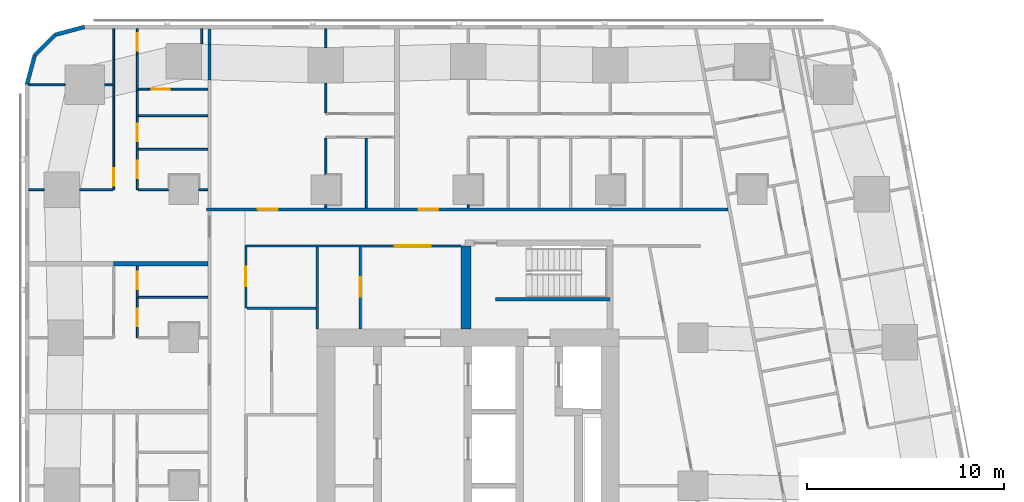
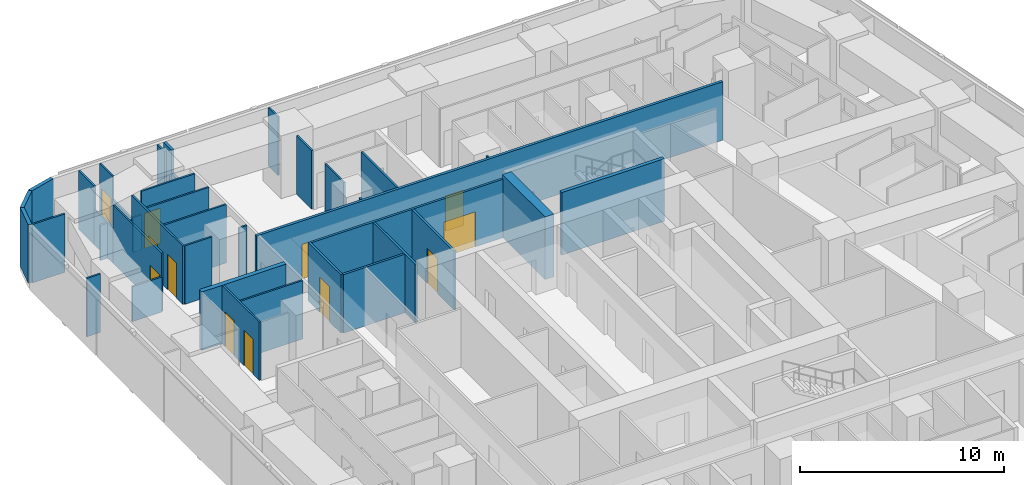
# One storey, part 9 of 15: 39 walls, 12 doors, 12 openings.
"""IFC4 building model written with IfcOpenShell, lengths in metres."""

from ifc_helpers import new_model, si_unit, direction, frame, frame_2d, origin, place, context, subcontext, project, spatial, rectangle, extrude, material, layer, layer_set, type_object, element, fill, save


model = new_model("IFC4")

# Units and contexts
model_context = context("Model", 3, precision=1e-05, world=origin(), true_north=direction((0.0, 1.0)))
body_context = subcontext(model_context, "Body", "Model", "MODEL_VIEW")
ifc_project = project(units=[si_unit("LENGTHUNIT", "METRE"), si_unit("AREAUNIT", "SQUARE_METRE"), si_unit("VOLUMEUNIT", "CUBIC_METRE"), si_unit("PLANEANGLEUNIT", "RADIAN"), si_unit("MASSUNIT", "GRAM", prefix="KILO")], contexts=[model_context])

# Site, building, storey
site_placement = place(None, origin())
site = spatial("IfcSite", under=ifc_project, at=site_placement, CompositionType="ELEMENT")
building_placement = place(site_placement, origin())
building = spatial("IfcBuilding", under=site, at=building_placement, Name="Sheger Commons Tower", CompositionType="ELEMENT")
storey_placement = place(building_placement, frame((0.0, 0.0, 139.550048828125)))
storey = spatial("IfcBuildingStorey", under=building, at=storey_placement, Name="L35", CompositionType="ELEMENT", Elevation=139.550048828125)

# Walls
ifc_material_1 = material(Name="Hollow concrete block masonry, skimmed both sides", Category="masonry")
ifc_layer_1 = layer(ifc_material_1, 0.14990234375)
ifc_layer_set_1 = layer_set([ifc_layer_1], Name="CORRIDOR WALL 150")
wall_type_1 = type_object("IfcWallType", Name="CORRIDOR WALL 150", PredefinedType="SOLIDWALL", material=ifc_layer_set_1)
wall_1_placement = place(storey_placement, frame((8.5, 43.06103515625, 0.0), z_axis=(0.0, 0.0, 1.0), x_axis=(0.0, 1.0, 0.0)))
element("IfcWall", 1, at=wall_1_placement, inside=storey, type_object=wall_type_1, Name="Corridor wall L35", PredefinedType="SOLIDWALL", context=body_context, shape_type="SweptSolid", body=[
    extrude(rectangle(XDim=1.804931640625, YDim=0.14990234375, at=frame_2d((0.90234375, 0.0))), origin(), (0.0, 0.0, 1.0), 2.099853515625),
])
wall_2_placement = place(storey_placement, frame((8.5, 44.865966796875, 0.0), z_axis=(0.0, 0.0, 1.0), x_axis=(0.0, 1.0, 0.0)))
element("IfcWall", 2, at=wall_2_placement, inside=storey, type_object=wall_type_1, Name="Corridor wall L35", PredefinedType="SOLIDWALL", context=body_context, shape_type="SweptSolid", body=[
    extrude(rectangle(XDim=0.783935546875, YDim=0.14990234375, at=frame_2d((0.39208984375, 0.0))), origin(), (0.0, 0.0, 1.0), 3.5),
])

# Wall, openings, doors
wall_3_placement = place(storey_placement, frame((8.35009765625, 36.5, 0.0), z_axis=(0.0, 0.0, 1.0), x_axis=(1.0, 0.0, 0.0)))
wall_3 = element("IfcWall", 3, at=wall_3_placement, inside=storey, type_object=wall_type_1, Name="Corridor wall L35", PredefinedType="SOLIDWALL", context=body_context, shape_type="SweptSolid", body=[
    extrude(rectangle(XDim=26.414794921875, YDim=0.14990234375, at=frame_2d((13.20751953125, 0.0))), origin(), (0.0, 0.0, 1.0), 3.5),
])
opening_1_placement = place(wall_3_placement, frame((2.60009765625, 0.0, 0.0)))
opening_1 = element("IfcOpeningElement", 4, at=opening_1_placement, cuts=wall_3, Name="Opening D1", PredefinedType="OPENING", context=body_context, shape_type="SweptSolid", body=[
    extrude(rectangle(XDim=1.0, YDim=2.10009765625, at=frame_2d((0.5, 1.050048828125))), frame((0.0, 0.0849609375, 0.0), z_axis=(0.0, -1.0, 0.0), x_axis=(1.0, 0.0, 0.0)), (0.0, 0.0, 1.0), 0.169921875),
])
opening_2_placement = place(wall_3_placement, frame((10.75, 0.0, 0.0)))
opening_2 = element("IfcOpeningElement", 5, at=opening_2_placement, cuts=wall_3, Name="Opening D1", PredefinedType="OPENING", context=body_context, shape_type="SweptSolid", body=[
    extrude(rectangle(XDim=1.0, YDim=2.10009765625, at=frame_2d((0.5, 1.050048828125))), frame((0.0, 0.0849609375, 0.0), z_axis=(0.0, -1.0, 0.0), x_axis=(1.0, 0.0, 0.0)), (0.0, 0.0, 1.0), 0.169921875),
])
ifc_material_2 = material(Name="Steel door set, fire rated", Category="steel")
door_type_1 = type_object("IfcDoorType", Name="FLAT ENTRANCE DOOR 1000x2100", OperationType="NOTDEFINED", PredefinedType="DOOR", material=ifc_material_2)
door_1_placement = place(opening_1_placement, origin())
door_1 = element("IfcDoor", 6, at=door_1_placement, inside=storey, type_object=door_type_1, Name="Flat entrance door", OperationType="SINGLE_SWING_LEFT", OverallHeight=2.10009765625, OverallWidth=1.0, PredefinedType="DOOR", context=body_context, shape_type="SweptSolid", body=[
    extrude(rectangle(XDim=1.0, YDim=2.10009765625, at=frame_2d((0.5, 1.050048828125))), frame((0.0, 0.02490234375, 0.0), z_axis=(0.0, -1.0, 0.0), x_axis=(1.0, 0.0, 0.0)), (0.0, 0.0, 1.0), 0.050048828125),
])
fill(opening_1, door_1)
door_2_placement = place(opening_2_placement, origin())
door_2 = element("IfcDoor", 7, at=door_2_placement, inside=storey, type_object=door_type_1, Name="Flat entrance door", OperationType="SINGLE_SWING_LEFT", OverallHeight=2.10009765625, OverallWidth=1.0, PredefinedType="DOOR", context=body_context, shape_type="SweptSolid", body=[
    extrude(rectangle(XDim=1.0, YDim=2.10009765625, at=frame_2d((0.5, 1.050048828125))), frame((0.0, 0.02490234375, 0.0), z_axis=(0.0, -1.0, 0.0), x_axis=(1.0, 0.0, 0.0)), (0.0, 0.0, 1.0), 0.050048828125),
])
fill(opening_2, door_2)

# Walls
ifc_material_3 = material(Name="Dense concrete block masonry, plastered both sides (separating wall between flats)", Category="masonry")
ifc_layer_2 = layer(ifc_material_3, 0.25)
ifc_layer_set_2 = layer_set([ifc_layer_2], Name="DEMISING WALL 250")
wall_type_2 = type_object("IfcWallType", Name="DEMISING WALL 250", PredefinedType="SOLIDWALL", material=ifc_layer_set_2)
wall_4_placement = place(storey_placement, frame((3.64990234375, 33.75, 0.0), z_axis=(0.0, 0.0, 1.0), x_axis=(1.0, 0.0, 0.0)))
element("IfcWall", 8, at=wall_4_placement, inside=storey, type_object=wall_type_2, Name="Demising wall L35", PredefinedType="SOLIDWALL", context=body_context, shape_type="SweptSolid", body=[
    extrude(rectangle(XDim=4.775146484375, YDim=0.25, at=frame_2d((2.3876953125, 0.0))), origin(), (0.0, 0.0, 1.0), 3.5),
])
ifc_material_4 = material(Name="Rendered concrete block masonry, dark grey", Category="masonry")
ifc_layer_3 = layer(ifc_material_4, 0.199951171875)
ifc_layer_set_3 = layer_set([ifc_layer_3], Name="FACADE WALL 200")
wall_type_3 = type_object("IfcWallType", Name="FACADE WALL 200", PredefinedType="SOLIDWALL", material=ifc_layer_set_3)
wall_5_placement = place(storey_placement, frame((2.1630859375, 45.75, 0.0), z_axis=(0.0, 0.0, 1.0), x_axis=(-0.965832000415, -0.259168954497, 0.0)))
element("IfcWall", 9, at=wall_5_placement, inside=storey, type_object=wall_type_3, Name="Facade wall L35", PredefinedType="SOLIDWALL", context=body_context, shape_type="SweptSolid", body=[
    extrude(rectangle(XDim=1.512939453125, YDim=0.199951171875, at=frame_2d((0.75634765625, 0.0))), origin(), (0.0, 0.0, 1.0), 3.5),
])
wall_6_placement = place(storey_placement, frame((0.701904296875, 45.35791015625, 0.0), z_axis=(0.0, 0.0, 1.0), x_axis=(-0.707106781187, -0.707106781187, 0.0)))
element("IfcWall", 10, at=wall_6_placement, inside=storey, type_object=wall_type_3, Name="Facade wall L35", PredefinedType="SOLIDWALL", context=body_context, shape_type="SweptSolid", body=[
    extrude(rectangle(XDim=1.498779296875, YDim=0.199951171875, at=frame_2d((0.74951171875, 0.0))), origin(), (0.0, 0.0, 1.0), 3.5),
])
wall_7_placement = place(storey_placement, frame((-0.35791015625, 44.298095703125, 0.0), z_axis=(0.0, 0.0, 1.0), x_axis=(-0.259168954497, -0.965832000415, 0.0)))
element("IfcWall", 11, at=wall_7_placement, inside=storey, type_object=wall_type_3, Name="Facade wall L35", PredefinedType="SOLIDWALL", context=body_context, shape_type="SweptSolid", body=[
    extrude(rectangle(XDim=1.512939453125, YDim=0.199951171875, at=frame_2d((0.75634765625, 0.0))), origin(), (0.0, 0.0, 1.0), 3.5),
])
ifc_material_5 = material(Name="Gypsum board on steel studs", Category="steel")
ifc_layer_4 = layer(ifc_material_5, 0.10009765625)
ifc_layer_set_4 = layer_set([ifc_layer_4], Name="PARTITION 100")
wall_type_4 = type_object("IfcWallType", Name="PARTITION 100", PredefinedType="PARTITIONING", material=ifc_layer_set_4)
wall_8_placement = place(storey_placement, frame((8.10009765625, 45.64990234375, 0.0), z_axis=(0.0, 0.0, 1.0), x_axis=(0.0, -1.0, 0.0)))
element("IfcWall", 12, at=wall_8_placement, inside=storey, type_object=wall_type_4, Name="Partition L35", PredefinedType="PARTITIONING", context=body_context, shape_type="SweptSolid", body=[
    extrude(rectangle(XDim=0.7490234375, YDim=0.10009765625, at=frame_2d((0.37451171875, 0.0))), origin(), (0.0, 0.0, 1.0), 3.5),
])

# Wall, openings, doors
wall_9_placement = place(storey_placement, frame((4.85009765625, 30.0, 0.0), z_axis=(0.0, 0.0, 1.0), x_axis=(0.0, 1.0, 0.0)))
wall_9 = element("IfcWall", 13, at=wall_9_placement, inside=storey, type_object=wall_type_4, Name="Partition L35", PredefinedType="PARTITIONING", context=body_context, shape_type="SweptSolid", body=[
    extrude(rectangle(XDim=3.625, YDim=0.10009765625, at=frame_2d((1.8125, 0.0))), origin(), (0.0, 0.0, 1.0), 3.5),
])
opening_3_placement = place(wall_9_placement, frame((0.574951171875, 0.0, 0.0)))
opening_3 = element("IfcOpeningElement", 14, at=opening_3_placement, cuts=wall_9, Name="Opening D2", PredefinedType="OPENING", context=body_context, shape_type="SweptSolid", body=[
    extrude(rectangle(XDim=0.89990234375, YDim=2.10009765625, at=frame_2d((0.449951171875, 1.050048828125))), frame((0.0, 0.06005859375, 0.0), z_axis=(0.0, -1.0, 0.0), x_axis=(1.0, 0.0, 0.0)), (0.0, 0.0, 1.0), 0.1201171875),
])
opening_4_placement = place(wall_9_placement, frame((2.449951171875, 0.0, 0.0)))
opening_4 = element("IfcOpeningElement", 15, at=opening_4_placement, cuts=wall_9, Name="Opening D2", PredefinedType="OPENING", context=body_context, shape_type="SweptSolid", body=[
    extrude(rectangle(XDim=0.89990234375, YDim=2.10009765625, at=frame_2d((0.449951171875, 1.050048828125))), frame((0.0, 0.06005859375, 0.0), z_axis=(0.0, -1.0, 0.0), x_axis=(1.0, 0.0, 0.0)), (0.0, 0.0, 1.0), 0.1201171875),
])
ifc_material_6 = material(Name="Timber door set", Category="wood")
door_type_2 = type_object("IfcDoorType", Name="INTERNAL DOOR 900x2100", OperationType="NOTDEFINED", PredefinedType="DOOR", material=ifc_material_6)
door_3_placement = place(opening_3_placement, origin())
door_3 = element("IfcDoor", 16, at=door_3_placement, inside=storey, type_object=door_type_2, Name="Bathroom door", OperationType="SINGLE_SWING_RIGHT", OverallHeight=2.10009765625, OverallWidth=0.89990234375, PredefinedType="DOOR", context=body_context, shape_type="SweptSolid", body=[
    extrude(rectangle(XDim=0.89990234375, YDim=2.10009765625, at=frame_2d((0.449951171875, 1.050048828125))), frame((0.0, 0.02490234375, 0.0), z_axis=(0.0, -1.0, 0.0), x_axis=(1.0, 0.0, 0.0)), (0.0, 0.0, 1.0), 0.050048828125),
])
fill(opening_3, door_3)
door_4_placement = place(opening_4_placement, origin())
door_4 = element("IfcDoor", 17, at=door_4_placement, inside=storey, type_object=door_type_2, Name="Store door", OperationType="SINGLE_SWING_LEFT", OverallHeight=2.10009765625, OverallWidth=0.89990234375, PredefinedType="DOOR", context=body_context, shape_type="SweptSolid", body=[
    extrude(rectangle(XDim=0.89990234375, YDim=2.10009765625, at=frame_2d((0.449951171875, 1.050048828125))), frame((0.0, 0.02490234375, 0.0), z_axis=(0.0, -1.0, 0.0), x_axis=(1.0, 0.0, 0.0)), (0.0, 0.0, 1.0), 0.050048828125),
])
fill(opening_4, door_4)

# Wall
wall_10_placement = place(storey_placement, frame((4.89990234375, 32.050048828125, 0.0), z_axis=(0.0, 0.0, 1.0), x_axis=(1.0, 0.0, 0.0)))
element("IfcWall", 18, at=wall_10_placement, inside=storey, type_object=wall_type_4, Name="Partition L35", PredefinedType="PARTITIONING", context=body_context, shape_type="SweptSolid", body=[
    extrude(rectangle(XDim=3.525146484375, YDim=0.10009765625, at=frame_2d((1.7626953125, 0.0))), origin(), (0.0, 0.0, 1.0), 3.5),
])

# Wall, opening, door
wall_11_placement = place(storey_placement, frame((3.64990234375, 37.5, 0.0), z_axis=(0.0, 0.0, 1.0), x_axis=(0.0, 1.0, 0.0)))
wall_11 = element("IfcWall", 19, at=wall_11_placement, inside=storey, type_object=wall_type_4, Name="Partition L35", PredefinedType="PARTITIONING", context=body_context, shape_type="SweptSolid", body=[
    extrude(rectangle(XDim=4.72412109375, YDim=0.10009765625, at=frame_2d((2.362060546875, 0.0))), origin(), (0.0, 0.0, 1.0), 3.5),
])
opening_5_placement = place(wall_11_placement, frame((0.199951171875, 0.0, 0.0)))
opening_5 = element("IfcOpeningElement", 20, at=opening_5_placement, cuts=wall_11, Name="Opening D2", PredefinedType="OPENING", context=body_context, shape_type="SweptSolid", body=[
    extrude(rectangle(XDim=0.89990234375, YDim=2.10009765625, at=frame_2d((0.449951171875, 1.050048828125))), frame((0.0, 0.06005859375, 0.0), z_axis=(0.0, -1.0, 0.0), x_axis=(1.0, 0.0, 0.0)), (0.0, 0.0, 1.0), 0.1201171875),
])
door_5_placement = place(opening_5_placement, origin())
door_5 = element("IfcDoor", 21, at=door_5_placement, inside=storey, type_object=door_type_2, Name="Main bedroom door", OperationType="SINGLE_SWING_LEFT", OverallHeight=2.10009765625, OverallWidth=0.89990234375, PredefinedType="DOOR", context=body_context, shape_type="SweptSolid", body=[
    extrude(rectangle(XDim=0.89990234375, YDim=2.10009765625, at=frame_2d((0.449951171875, 1.050048828125))), frame((0.0, 0.02490234375, 0.0), z_axis=(0.0, -1.0, 0.0), x_axis=(1.0, 0.0, 0.0)), (0.0, 0.0, 1.0), 0.050048828125),
])
fill(opening_5, door_5)

# Walls
wall_12_placement = place(storey_placement, frame((3.64990234375, 42.22412109375, 0.0), z_axis=(0.0, 0.0, 1.0), x_axis=(0.0, 1.0, 0.0)))
element("IfcWall", 22, at=wall_12_placement, inside=storey, type_object=wall_type_4, Name="Partition L35", PredefinedType="PARTITIONING", context=body_context, shape_type="SweptSolid", body=[
    extrude(rectangle(XDim=1.872802734375, YDim=0.10009765625, at=frame_2d((0.9365234375, 0.0))), origin(), (0.0, 0.0, 1.0), 2.099853515625),
])
wall_13_placement = place(storey_placement, frame((3.64990234375, 44.096923828125, 0.0), z_axis=(0.0, 0.0, 1.0), x_axis=(0.0, 1.0, 0.0)))
element("IfcWall", 23, at=wall_13_placement, inside=storey, type_object=wall_type_4, Name="Partition L35", PredefinedType="PARTITIONING", context=body_context, shape_type="SweptSolid", body=[
    extrude(rectangle(XDim=1.552978515625, YDim=0.10009765625, at=frame_2d((0.7763671875, 0.0))), origin(), (0.0, 0.0, 1.0), 3.5),
])

# Wall, openings, doors
wall_14_placement = place(storey_placement, frame((4.85009765625, 37.5, 0.0), z_axis=(0.0, 0.0, 1.0), x_axis=(0.0, 1.0, 0.0)))
wall_14 = element("IfcWall", 24, at=wall_14_placement, inside=storey, type_object=wall_type_4, Name="Partition L35", PredefinedType="PARTITIONING", context=body_context, shape_type="SweptSolid", body=[
    extrude(rectangle(XDim=5.007080078125, YDim=0.10009765625, at=frame_2d((2.50341796875, 0.0))), origin(), (0.0, 0.0, 1.0), 3.5),
])
opening_6_placement = place(wall_14_placement, frame((0.574951171875, 0.0, 0.0)))
opening_6 = element("IfcOpeningElement", 25, at=opening_6_placement, cuts=wall_14, Name="Opening D2", PredefinedType="OPENING", context=body_context, shape_type="SweptSolid", body=[
    extrude(rectangle(XDim=0.89990234375, YDim=2.10009765625, at=frame_2d((0.449951171875, 1.050048828125))), frame((0.0, 0.06005859375, 0.0), z_axis=(0.0, -1.0, 0.0), x_axis=(1.0, 0.0, 0.0)), (0.0, 0.0, 1.0), 0.1201171875),
])
opening_7_placement = place(wall_14_placement, frame((2.449951171875, 0.0, 0.0)))
opening_7 = element("IfcOpeningElement", 26, at=opening_7_placement, cuts=wall_14, Name="Opening D2", PredefinedType="OPENING", context=body_context, shape_type="SweptSolid", body=[
    extrude(rectangle(XDim=0.89990234375, YDim=2.10009765625, at=frame_2d((0.449951171875, 1.050048828125))), frame((0.0, 0.06005859375, 0.0), z_axis=(0.0, -1.0, 0.0), x_axis=(1.0, 0.0, 0.0)), (0.0, 0.0, 1.0), 0.1201171875),
])
door_6_placement = place(opening_6_placement, origin())
door_6 = element("IfcDoor", 27, at=door_6_placement, inside=storey, type_object=door_type_2, Name="Bathroom door", OperationType="SINGLE_SWING_RIGHT", OverallHeight=2.10009765625, OverallWidth=0.89990234375, PredefinedType="DOOR", context=body_context, shape_type="SweptSolid", body=[
    extrude(rectangle(XDim=0.89990234375, YDim=2.10009765625, at=frame_2d((0.449951171875, 1.050048828125))), frame((0.0, 0.02490234375, 0.0), z_axis=(0.0, -1.0, 0.0), x_axis=(1.0, 0.0, 0.0)), (0.0, 0.0, 1.0), 0.050048828125),
])
fill(opening_6, door_6)
door_7_placement = place(opening_7_placement, origin())
door_7 = element("IfcDoor", 28, at=door_7_placement, inside=storey, type_object=door_type_2, Name="Store door", OperationType="SINGLE_SWING_LEFT", OverallHeight=2.10009765625, OverallWidth=0.89990234375, PredefinedType="DOOR", context=body_context, shape_type="SweptSolid", body=[
    extrude(rectangle(XDim=0.89990234375, YDim=2.10009765625, at=frame_2d((0.449951171875, 1.050048828125))), frame((0.0, 0.02490234375, 0.0), z_axis=(0.0, -1.0, 0.0), x_axis=(1.0, 0.0, 0.0)), (0.0, 0.0, 1.0), 0.050048828125),
])
fill(opening_7, door_7)

# Wall
wall_15_placement = place(storey_placement, frame((4.85009765625, 42.507080078125, 0.0), z_axis=(0.0, 0.0, 1.0), x_axis=(0.0, 1.0, 0.0)))
element("IfcWall", 29, at=wall_15_placement, inside=storey, type_object=wall_type_4, Name="Partition L35", PredefinedType="PARTITIONING", context=body_context, shape_type="SweptSolid", body=[
    extrude(rectangle(XDim=1.8740234375, YDim=0.10009765625, at=frame_2d((0.93701171875, 0.0))), origin(), (0.0, 0.0, 1.0), 2.099853515625),
])

# Wall, opening, door
wall_16_placement = place(storey_placement, frame((4.85009765625, 44.381103515625, 0.0), z_axis=(0.0, 0.0, 1.0), x_axis=(0.0, 1.0, 0.0)))
wall_16 = element("IfcWall", 30, at=wall_16_placement, inside=storey, type_object=wall_type_4, Name="Partition L35", PredefinedType="PARTITIONING", context=body_context, shape_type="SweptSolid", body=[
    extrude(rectangle(XDim=1.268798828125, YDim=0.10009765625, at=frame_2d((0.63427734375, 0.0))), origin(), (0.0, 0.0, 1.0), 3.5),
])
opening_8_placement = place(wall_16_placement, frame((0.14990234375, 0.0, 0.0)))
opening_8 = element("IfcOpeningElement", 31, at=opening_8_placement, cuts=wall_16, Name="Opening D2", PredefinedType="OPENING", context=body_context, shape_type="SweptSolid", body=[
    extrude(rectangle(XDim=0.89990234375, YDim=2.10009765625, at=frame_2d((0.449951171875, 1.050048828125))), frame((0.0, 0.06005859375, 0.0), z_axis=(0.0, -1.0, 0.0), x_axis=(1.0, 0.0, 0.0)), (0.0, 0.0, 1.0), 0.1201171875),
])
door_8_placement = place(opening_8_placement, origin())
door_8 = element("IfcDoor", 32, at=door_8_placement, inside=storey, type_object=door_type_2, Name="Store and laundry door", OperationType="SINGLE_SWING_RIGHT", OverallHeight=2.10009765625, OverallWidth=0.89990234375, PredefinedType="DOOR", context=body_context, shape_type="SweptSolid", body=[
    extrude(rectangle(XDim=0.89990234375, YDim=2.10009765625, at=frame_2d((0.449951171875, 1.050048828125))), frame((0.0, 0.02490234375, 0.0), z_axis=(0.0, -1.0, 0.0), x_axis=(1.0, 0.0, 0.0)), (0.0, 0.0, 1.0), 0.050048828125),
])
fill(opening_8, door_8)

# Walls
wall_17_placement = place(storey_placement, frame((-0.64990234375, 37.5, 0.0), z_axis=(0.0, 0.0, 1.0), x_axis=(1.0, 0.0, 0.0)))
element("IfcWall", 33, at=wall_17_placement, inside=storey, type_object=wall_type_4, Name="Partition L35", PredefinedType="PARTITIONING", context=body_context, shape_type="SweptSolid", body=[
    extrude(rectangle(XDim=0.77392578125, YDim=0.10009765625, at=frame_2d((0.386962890625, 0.0))), origin(), (0.0, 0.0, 1.0), 3.5),
])
wall_18_placement = place(storey_placement, frame((1.926025390625, 37.5, 0.0), z_axis=(0.0, 0.0, 1.0), x_axis=(1.0, 0.0, 0.0)))
element("IfcWall", 34, at=wall_18_placement, inside=storey, type_object=wall_type_4, Name="Partition L35", PredefinedType="PARTITIONING", context=body_context, shape_type="SweptSolid", body=[
    extrude(rectangle(XDim=1.674072265625, YDim=0.10009765625, at=frame_2d((0.8369140625, 0.0))), origin(), (0.0, 0.0, 1.0), 2.099853515625),
])
wall_19_placement = place(storey_placement, frame((-0.64990234375, 42.81396484375, 0.0), z_axis=(0.0, 0.0, 1.0), x_axis=(1.0, 0.0, 0.0)))
element("IfcWall", 35, at=wall_19_placement, inside=storey, type_object=wall_type_4, Name="Partition L35", PredefinedType="PARTITIONING", context=body_context, shape_type="SweptSolid", body=[
    extrude(rectangle(XDim=1.8349609375, YDim=0.10009765625, at=frame_2d((0.91748046875, 0.0))), origin(), (0.0, 0.0, 1.0), 3.5),
])
wall_20_placement = place(storey_placement, frame((3.18701171875, 42.81396484375, 0.0), z_axis=(0.0, 0.0, 1.0), x_axis=(1.0, 0.0, 0.0)))
element("IfcWall", 36, at=wall_20_placement, inside=storey, type_object=wall_type_4, Name="Partition L35", PredefinedType="PARTITIONING", context=body_context, shape_type="SweptSolid", body=[
    extrude(rectangle(XDim=0.4130859375, YDim=0.10009765625, at=frame_2d((0.20654296875, 0.0))), origin(), (0.0, 0.0, 1.0), 2.099853515625),
])
wall_21_placement = place(storey_placement, frame((4.89990234375, 37.5, 0.0), z_axis=(0.0, 0.0, 1.0), x_axis=(1.0, 0.0, 0.0)))
element("IfcWall", 37, at=wall_21_placement, inside=storey, type_object=wall_type_4, Name="Partition L35", PredefinedType="PARTITIONING", context=body_context, shape_type="SweptSolid", body=[
    extrude(rectangle(XDim=1.549072265625, YDim=0.10009765625, at=frame_2d((0.7744140625, 0.0))), origin(), (0.0, 0.0, 1.0), 3.5),
])
wall_22_placement = place(storey_placement, frame((7.950927734375, 37.5, 0.0), z_axis=(0.0, 0.0, 1.0), x_axis=(1.0, 0.0, 0.0)))
element("IfcWall", 38, at=wall_22_placement, inside=storey, type_object=wall_type_4, Name="Partition L35", PredefinedType="PARTITIONING", context=body_context, shape_type="SweptSolid", body=[
    extrude(rectangle(XDim=0.47412109375, YDim=0.10009765625, at=frame_2d((0.237060546875, 0.0))), origin(), (0.0, 0.0, 1.0), 3.5),
])
for number, where, z_axis, x_axis, name in (
    (39, (4.89990234375, 41.25, 0.0), (0.0, 0.0, 1.0), (1.0, 0.0, 0.0), "Partition L35"),
    (40, (4.89990234375, 39.550048828125, 0.0), (0.0, 0.0, 1.0), (1.0, 0.0, 0.0), "Partition L35"),
):
    element("IfcWall", number, at=place(storey_placement, frame(where, z_axis=z_axis, x_axis=x_axis)), inside=storey, type_object=wall_type_4, Name=name, PredefinedType="PARTITIONING", context=body_context, shape_type="SweptSolid", body=[
        extrude(rectangle(XDim=3.525146484375, YDim=0.10009765625, at=frame_2d((1.7626953125, 0.0))), origin(), (0.0, 0.0, 1.0), 3.5),
    ])
wall_23_placement = place(storey_placement, frame((14.39990234375, 41.39990234375, 0.0), z_axis=(0.0, 0.0, 1.0), x_axis=(0.0, 1.0, 0.0)))
element("IfcWall", 41, at=wall_23_placement, inside=storey, type_object=wall_type_4, Name="Partition L35", PredefinedType="PARTITIONING", context=body_context, shape_type="SweptSolid", body=[
    extrude(rectangle(XDim=1.4990234375, YDim=0.10009765625, at=frame_2d((0.74951171875, 0.0))), origin(), (0.0, 0.0, 1.0), 3.5),
])
wall_24_placement = place(storey_placement, frame((14.39990234375, 44.700927734375, 0.0), z_axis=(0.0, 0.0, 1.0), x_axis=(0.0, 1.0, 0.0)))
element("IfcWall", 42, at=wall_24_placement, inside=storey, type_object=wall_type_4, Name="Partition L35", PredefinedType="PARTITIONING", context=body_context, shape_type="SweptSolid", body=[
    extrude(rectangle(XDim=0.948974609375, YDim=0.10009765625, at=frame_2d((0.474609375, 0.0))), origin(), (0.0, 0.0, 1.0), 3.5),
])
wall_25_placement = place(storey_placement, frame((14.39990234375, 36.574951171875, 0.0), z_axis=(0.0, 0.0, 1.0), x_axis=(0.0, 1.0, 0.0)))
element("IfcWall", 43, at=wall_25_placement, inside=storey, type_object=wall_type_4, Name="Partition L35", PredefinedType="PARTITIONING", context=body_context, shape_type="SweptSolid", body=[
    extrude(rectangle(XDim=0.174072265625, YDim=0.10009765625, at=frame_2d((0.0869140625, 0.0))), origin(), (0.0, 0.0, 1.0), 3.5),
])
wall_26_placement = place(storey_placement, frame((14.39990234375, 38.2509765625, 0.0), z_axis=(0.0, 0.0, 1.0), x_axis=(0.0, 1.0, 0.0)))
element("IfcWall", 44, at=wall_26_placement, inside=storey, type_object=wall_type_4, Name="Partition L35", PredefinedType="PARTITIONING", context=body_context, shape_type="SweptSolid", body=[
    extrude(rectangle(XDim=1.84912109375, YDim=0.10009765625, at=frame_2d((0.924560546875, 0.0))), origin(), (0.0, 0.0, 1.0), 3.5),
])
wall_27_placement = place(storey_placement, frame((16.449951171875, 36.574951171875, 0.0), z_axis=(0.0, 0.0, 1.0), x_axis=(0.0, 1.0, 0.0)))
element("IfcWall", 45, at=wall_27_placement, inside=storey, type_object=wall_type_4, Name="Partition L35", PredefinedType="PARTITIONING", context=body_context, shape_type="SweptSolid", body=[
    extrude(rectangle(XDim=3.525146484375, YDim=0.10009765625, at=frame_2d((1.7626953125, 0.0))), origin(), (0.0, 0.0, 1.0), 3.5),
])
wall_28_placement = place(storey_placement, frame((21.60009765625, 36.574951171875, 0.0), z_axis=(0.0, 0.0, 1.0), x_axis=(0.0, 1.0, 0.0)))
element("IfcWall", 46, at=wall_28_placement, inside=storey, type_object=wall_type_4, Name="Partition L35", PredefinedType="PARTITIONING", context=body_context, shape_type="SweptSolid", body=[
    extrude(rectangle(XDim=0.174072265625, YDim=0.10009765625, at=frame_2d((0.0869140625, 0.0))), origin(), (0.0, 0.0, 1.0), 3.5),
])

# Wall, opening, door
wall_29_placement = place(storey_placement, frame((8.425048828125, 42.60009765625, 0.0), z_axis=(0.0, 0.0, 1.0), x_axis=(-1.0, 0.0, 0.0)))
wall_29 = element("IfcWall", 47, at=wall_29_placement, inside=storey, type_object=wall_type_4, Name="Partition L35", PredefinedType="PARTITIONING", context=body_context, shape_type="SweptSolid", body=[
    extrude(rectangle(XDim=3.02197265625, YDim=0.10009765625, at=frame_2d((1.510986328125, 0.0))), origin(), (0.0, 0.0, 1.0), 3.5),
])
opening_9_placement = place(wall_29_placement, frame((1.949951171875, 0.0, 0.0)))
opening_9 = element("IfcOpeningElement", 48, at=opening_9_placement, cuts=wall_29, Name="Opening D2", PredefinedType="OPENING", context=body_context, shape_type="SweptSolid", body=[
    extrude(rectangle(XDim=0.89990234375, YDim=2.10009765625, at=frame_2d((0.449951171875, 1.050048828125))), frame((0.0, 0.06005859375, 0.0), z_axis=(0.0, -1.0, 0.0), x_axis=(1.0, 0.0, 0.0)), (0.0, 0.0, 1.0), 0.1201171875),
])
door_9_placement = place(opening_9_placement, origin())
door_9 = element("IfcDoor", 49, at=door_9_placement, inside=storey, type_object=door_type_2, Name="Store door", OperationType="SINGLE_SWING_RIGHT", OverallHeight=2.10009765625, OverallWidth=0.89990234375, PredefinedType="DOOR", context=body_context, shape_type="SweptSolid", body=[
    extrude(rectangle(XDim=0.89990234375, YDim=2.10009765625, at=frame_2d((0.449951171875, 1.050048828125))), frame((0.0, 0.02490234375, 0.0), z_axis=(0.0, -1.0, 0.0), x_axis=(1.0, 0.0, 0.0)), (0.0, 0.0, 1.0), 0.050048828125),
])
fill(opening_9, door_9)

# Wall
wall_30_placement = place(storey_placement, frame((5.403076171875, 42.60009765625, 0.0), z_axis=(0.0, 0.0, 1.0), x_axis=(-1.0, 0.0, 0.0)))
element("IfcWall", 50, at=wall_30_placement, inside=storey, type_object=wall_type_4, Name="Partition L35", PredefinedType="PARTITIONING", context=body_context, shape_type="SweptSolid", body=[
    extrude(rectangle(XDim=0.503173828125, YDim=0.10009765625, at=frame_2d((0.25146484375, 0.0))), origin(), (0.0, 0.0, 1.0), 2.099853515625),
])

# Wall, opening, door
ifc_material_7 = material(Name="Gypsum board on steel studs, two layers each side, fire rated", Category="steel")
ifc_layer_5 = layer(ifc_material_7, 0.125)
ifc_layer_set_5 = layer_set([ifc_layer_5], Name="SERVICE WALL 125")
wall_type_5 = type_object("IfcWallType", Name="SERVICE WALL 125", PredefinedType="PARTITIONING", material=ifc_layer_set_5)
wall_31_placement = place(storey_placement, frame((10.35009765625, 31.5, 0.0), z_axis=(0.0, 0.0, 1.0), x_axis=(0.0, 1.0, 0.0)))
wall_31 = element("IfcWall", 51, at=wall_31_placement, inside=storey, type_object=wall_type_5, Name="Service room wall L35", PredefinedType="PARTITIONING", context=body_context, shape_type="SweptSolid", body=[
    extrude(rectangle(XDim=3.199951171875, YDim=0.125, at=frame_2d((1.60009765625, 0.0))), origin(), (0.0, 0.0, 1.0), 3.5),
])
opening_10_placement = place(wall_31_placement, frame((1.10009765625, 0.0, 0.0)))
opening_10 = element("IfcOpeningElement", 52, at=opening_10_placement, cuts=wall_31, Name="Opening D4", PredefinedType="OPENING", context=body_context, shape_type="SweptSolid", body=[
    extrude(rectangle(XDim=1.0, YDim=2.10009765625, at=frame_2d((0.5, 1.050048828125))), frame((0.0, 0.072509765625, 0.0), z_axis=(0.0, -1.0, 0.0), x_axis=(1.0, 0.0, 0.0)), (0.0, 0.0, 1.0), 0.14501953125),
])
ifc_material_8 = material(Name="Steel door set, fire rated", Category="steel")
door_type_3 = type_object("IfcDoorType", Name="SERVICE DOOR 1000x2100", OperationType="NOTDEFINED", PredefinedType="DOOR", material=ifc_material_8)
door_10_placement = place(opening_10_placement, origin())
door_10 = element("IfcDoor", 53, at=door_10_placement, inside=storey, type_object=door_type_3, Name="Cleaner's store door", OperationType="SINGLE_SWING_RIGHT", OverallHeight=2.10009765625, OverallWidth=1.0, PredefinedType="DOOR", context=body_context, shape_type="SweptSolid", body=[
    extrude(rectangle(XDim=1.0, YDim=2.10009765625, at=frame_2d((0.5, 1.050048828125))), frame((0.0, 0.02490234375, 0.0), z_axis=(0.0, -1.0, 0.0), x_axis=(1.0, 0.0, 0.0)), (0.0, 0.0, 1.0), 0.050048828125),
])
fill(opening_10, door_10)

# Walls
wall_32_placement = place(storey_placement, frame((10.4130859375, 31.5, 0.0), z_axis=(0.0, 0.0, 1.0), x_axis=(1.0, 0.0, 0.0)))
element("IfcWall", 54, at=wall_32_placement, inside=storey, type_object=wall_type_5, Name="Service room wall L35", PredefinedType="PARTITIONING", context=body_context, shape_type="SweptSolid", body=[
    extrude(rectangle(XDim=3.474853515625, YDim=0.125, at=frame_2d((1.7373046875, 0.0))), origin(), (0.0, 0.0, 1.0), 3.5),
])
wall_33_placement = place(storey_placement, frame((13.949951171875, 30.449951171875, 0.0), z_axis=(0.0, 0.0, 1.0), x_axis=(0.0, 1.0, 0.0)))
element("IfcWall", 55, at=wall_33_placement, inside=storey, type_object=wall_type_5, Name="Service room wall L35", PredefinedType="PARTITIONING", context=body_context, shape_type="SweptSolid", body=[
    extrude(rectangle(XDim=4.136962890625, YDim=0.125, at=frame_2d((2.068359375, 0.0))), origin(), (0.0, 0.0, 1.0), 3.5),
])

# Wall, opening, door
wall_34_placement = place(storey_placement, frame((10.4130859375, 34.64990234375, 0.0), z_axis=(0.0, 0.0, 1.0), x_axis=(1.0, 0.0, 0.0)))
wall_34 = element("IfcWall", 56, at=wall_34_placement, inside=storey, type_object=wall_type_5, Name="Service room wall L35", PredefinedType="PARTITIONING", context=body_context, shape_type="SweptSolid", body=[
    extrude(rectangle(XDim=10.8369140625, YDim=0.125, at=frame_2d((5.41845703125, 0.0))), origin(), (0.0, 0.0, 1.0), 3.5),
])
opening_11_placement = place(wall_34_placement, frame((7.487060546875, 0.0, 0.0)))
opening_11 = element("IfcOpeningElement", 57, at=opening_11_placement, cuts=wall_34, Name="Opening D6", PredefinedType="OPENING", context=body_context, shape_type="SweptSolid", body=[
    extrude(rectangle(XDim=1.800048828125, YDim=2.10009765625, at=frame_2d((0.89990234375, 1.050048828125))), frame((0.0, 0.072509765625, 0.0), z_axis=(0.0, -1.0, 0.0), x_axis=(1.0, 0.0, 0.0)), (0.0, 0.0, 1.0), 0.14501953125),
])
ifc_material_9 = material(Name="Steel door set, fire rated", Category="steel")
door_type_4 = type_object("IfcDoorType", Name="LOBBY DOUBLE DOOR 1800x2100", OperationType="DOUBLE_DOOR_SINGLE_SWING", PredefinedType="DOOR", material=ifc_material_9)
door_11_placement = place(opening_11_placement, origin())
door_11 = element("IfcDoor", 58, at=door_11_placement, inside=storey, type_object=door_type_4, Name="Lift lobby north door", OperationType="DOUBLE_DOOR_SINGLE_SWING", OverallHeight=2.10009765625, OverallWidth=1.800048828125, PredefinedType="DOOR", context=body_context, shape_type="SweptSolid", body=[
    extrude(rectangle(XDim=1.800048828125, YDim=2.10009765625, at=frame_2d((0.89990234375, 1.050048828125))), frame((0.0, 0.02490234375, 0.0), z_axis=(0.0, -1.0, 0.0), x_axis=(1.0, 0.0, 0.0)), (0.0, 0.0, 1.0), 0.050048828125),
])
fill(opening_11, door_11)

wall_35_placement = place(storey_placement, frame((16.14990234375, 30.449951171875, 0.0), z_axis=(0.0, 0.0, 1.0), x_axis=(0.0, 1.0, 0.0)))
wall_35 = element("IfcWall", 59, at=wall_35_placement, inside=storey, type_object=wall_type_5, Name="Service room wall L35", PredefinedType="PARTITIONING", context=body_context, shape_type="SweptSolid", body=[
    extrude(rectangle(XDim=4.136962890625, YDim=0.125, at=frame_2d((2.068359375, 0.0))), origin(), (0.0, 0.0, 1.0), 3.5),
])
opening_12_placement = place(wall_35_placement, frame((1.625, 0.0, 0.0)))
opening_12 = element("IfcOpeningElement", 60, at=opening_12_placement, cuts=wall_35, Name="Opening D4", PredefinedType="OPENING", context=body_context, shape_type="SweptSolid", body=[
    extrude(rectangle(XDim=1.0, YDim=2.10009765625, at=frame_2d((0.5, 1.050048828125))), frame((0.0, 0.072509765625, 0.0), z_axis=(0.0, -1.0, 0.0), x_axis=(1.0, 0.0, 0.0)), (0.0, 0.0, 1.0), 0.14501953125),
])
door_12_placement = place(opening_12_placement, origin())
door_12 = element("IfcDoor", 61, at=door_12_placement, inside=storey, type_object=door_type_3, Name="Telecom room door", OperationType="SINGLE_SWING_RIGHT", OverallHeight=2.10009765625, OverallWidth=1.0, PredefinedType="DOOR", context=body_context, shape_type="SweptSolid", body=[
    extrude(rectangle(XDim=1.0, YDim=2.10009765625, at=frame_2d((0.5, 1.050048828125))), frame((0.0, 0.02490234375, 0.0), z_axis=(0.0, -1.0, 0.0), x_axis=(1.0, 0.0, 0.0)), (0.0, 0.0, 1.0), 0.050048828125),
])
fill(opening_12, door_12)

# Walls
ifc_material_10 = material(Name="Concrete C50/60", Category="concrete")
ifc_layer_6 = layer(ifc_material_10, 0.5)
ifc_layer_set_6 = layer_set([ifc_layer_6], Name="STAIR CORE WALL 500")
wall_type_6 = type_object("IfcWallType", Name="STAIR CORE WALL 500", PredefinedType="SHEAR", material=ifc_layer_set_6)
wall_36_placement = place(storey_placement, frame((21.5, 30.449951171875, 0.0), z_axis=(0.0, 0.0, 1.0), x_axis=(0.0, 1.0, 0.0)))
element("IfcWall", 62, at=wall_36_placement, inside=storey, type_object=wall_type_6, Name="STW-L35-S2W", PredefinedType="SHEAR", context=body_context, shape_type="SweptSolid", body=[
    extrude(rectangle(XDim=4.199951171875, YDim=0.5, at=frame_2d((2.10009765625, 0.0))), origin(), (0.0, 0.0, 1.0), 3.75),
])
ifc_material_11 = material(Name="Concrete C50/60", Category="concrete")
ifc_layer_7 = layer(ifc_material_11, 0.199951171875)
ifc_layer_set_7 = layer_set([ifc_layer_7], Name="STAIR SPINE WALL 200")
wall_type_7 = type_object("IfcWallType", Name="STAIR SPINE WALL 200", PredefinedType="SHEAR", material=ifc_layer_set_7)
wall_37_placement = place(storey_placement, frame((23.0, 31.949951171875, 0.0), z_axis=(0.0, 0.0, 1.0), x_axis=(1.0, 0.0, 0.0)))
element("IfcWall", 63, at=wall_37_placement, inside=storey, type_object=wall_type_7, Name="Stair spine wall L35", PredefinedType="SHEAR", context=body_context, shape_type="SweptSolid", body=[
    extrude(rectangle(XDim=5.800048828125, YDim=0.199951171875, at=frame_2d((2.89990234375, 0.0))), origin(), (0.0, 0.0, 1.0), 3.75),
])

save(model, "model.ifc")
